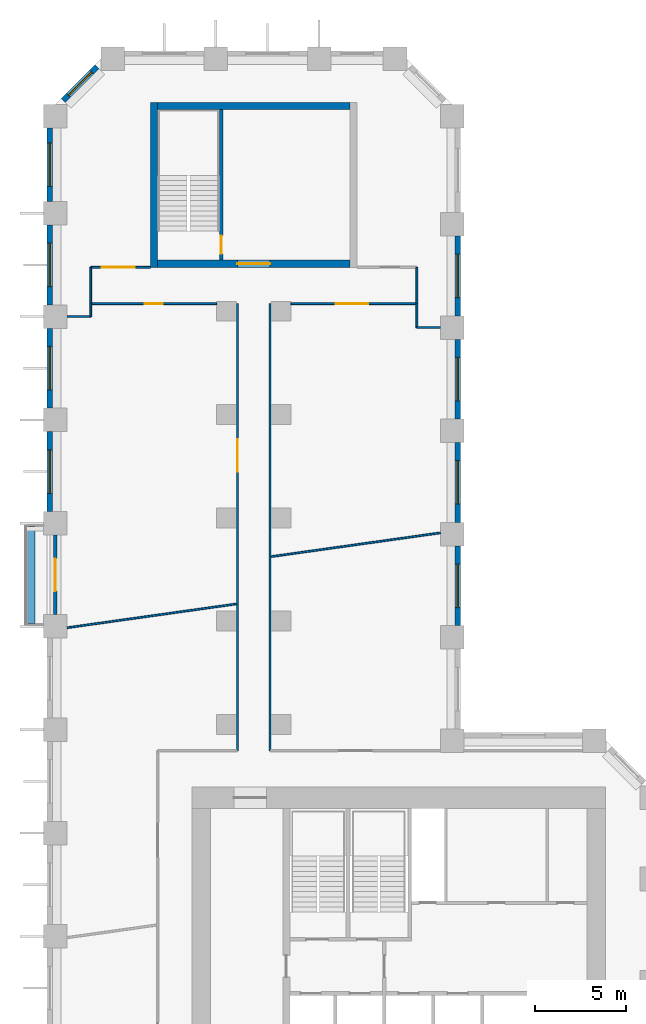
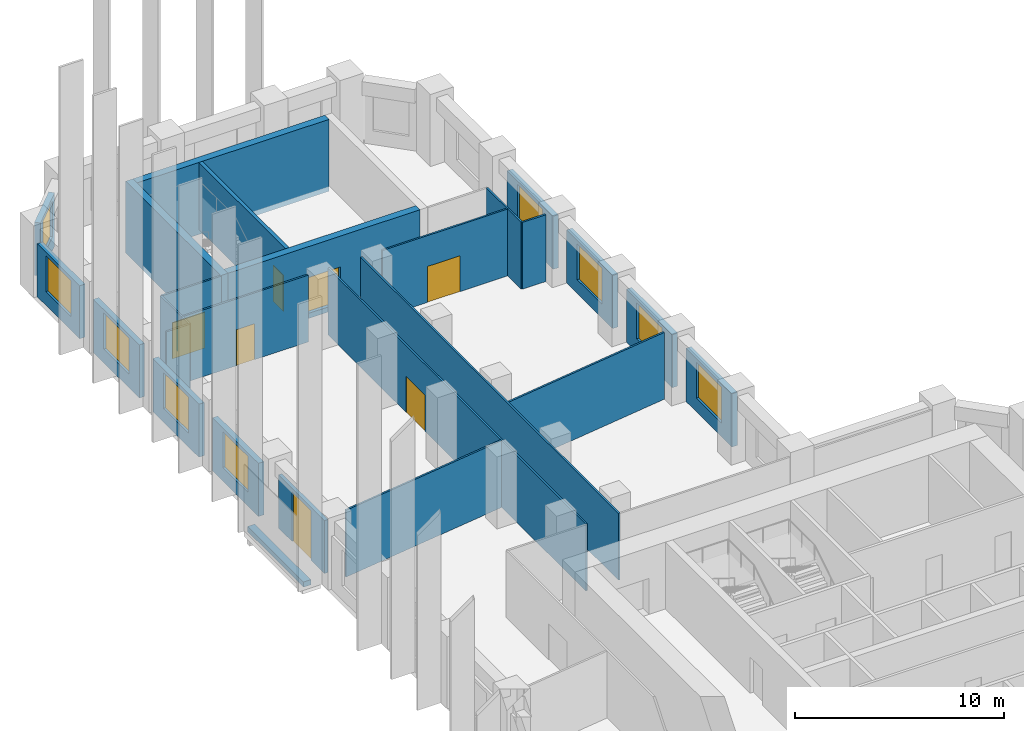
# One storey, part 8 of 11: 28 walls, 9 windows, 7 doors, 16 openings.
"""IFC4 building model written with IfcOpenShell, lengths in metres."""

from ifc_helpers import new_model, si_unit, direction, frame, frame_2d, origin, place, context, subcontext, project, spatial, rectangle, extrude, material, layer, layer_set, type_object, element, fill, save


model = new_model("IFC4")

# Units and contexts
model_context = context("Model", 3, precision=1e-05, world=origin(), true_north=direction((0.0, 1.0)))
body_context = subcontext(model_context, "Body", "Model", "MODEL_VIEW")
ifc_project = project(units=[si_unit("LENGTHUNIT", "METRE"), si_unit("AREAUNIT", "SQUARE_METRE"), si_unit("VOLUMEUNIT", "CUBIC_METRE"), si_unit("PLANEANGLEUNIT", "RADIAN"), si_unit("MASSUNIT", "GRAM", prefix="KILO")], contexts=[model_context])

# Site, building, storey
site_placement = place(None, origin())
site = spatial("IfcSite", under=ifc_project, at=site_placement, CompositionType="ELEMENT")
building_placement = place(site_placement, origin())
building = spatial("IfcBuilding", under=site, at=building_placement, Name="Meshkara Civic Tower", CompositionType="ELEMENT")
storey_placement = place(building_placement, frame((0.0, 0.0, 97.199951171875)))
storey = spatial("IfcBuildingStorey", under=building, at=storey_placement, Name="L21", CompositionType="ELEMENT", Elevation=97.199951171875)

# Wall, opening, door
ifc_material_1 = material(Name="Corridor wall 100")
ifc_layer_1 = layer(ifc_material_1, 0.10009765625)
ifc_layer_set_1 = layer_set([ifc_layer_1], Name="Corridor wall 100")
wall_type_1 = type_object("IfcWallType", Name="Corridor wall 100", PredefinedType="PARTITIONING", material=ifc_layer_set_1)
wall_1_placement = place(storey_placement, frame((2.39990234375, 63.570068359375, 0.0), z_axis=(0.0, 0.0, 1.0), x_axis=(1.0, 0.0, 0.0)))
wall_1 = element("IfcWall", 1, at=wall_1_placement, inside=storey, type_object=wall_type_1, Name="L21-W001", PredefinedType="PARTITIONING", context=body_context, shape_type="SweptSolid", body=[
    extrude(rectangle(XDim=6.9501953125, YDim=0.10009765625, at=frame_2d((3.47509765625, 0.0))), origin(), (0.0, 0.0, 1.0), 3.900146484375),
])
opening_1_placement = place(wall_1_placement, frame((2.97998046875, 0.0, 0.0)))
opening_1 = element("IfcOpeningElement", 2, at=opening_1_placement, cuts=wall_1, Name="Opening L21-D024", PredefinedType="OPENING", context=body_context, shape_type="SweptSolid", body=[
    extrude(rectangle(XDim=1.0, YDim=2.10009765625, at=frame_2d((0.5, 1.050048828125))), frame((0.0, 0.06005859375, 0.0), z_axis=(0.0, -1.0, 0.0), x_axis=(1.0, 0.0, 0.0)), (0.0, 0.0, 1.0), 0.1201171875),
])
ifc_material_2 = material(Name="Door 1000 x 2100")
door_type_1 = type_object("IfcDoorType", Name="Door 1000 x 2100", OperationType="SINGLE_SWING_LEFT", PredefinedType="DOOR", material=ifc_material_2)
door_1_placement = place(opening_1_placement, origin())
door_1 = element("IfcDoor", 3, at=door_1_placement, inside=storey, type_object=door_type_1, Name="L21-D024", OperationType="SINGLE_SWING_LEFT", OverallHeight=2.10009765625, OverallWidth=1.0, PredefinedType="DOOR", context=body_context, shape_type="SweptSolid", body=[
    extrude(rectangle(XDim=1.0, YDim=2.10009765625, at=frame_2d((0.5, 1.050048828125))), frame((0.0, 0.02490234375, 0.0), z_axis=(0.0, -1.0, 0.0), x_axis=(1.0, 0.0, 0.0)), (0.0, 0.0, 1.0), 0.050048828125),
])
fill(opening_1, door_1)

# Wall
wall_2_placement = place(storey_placement, frame((2.39990234375, 65.570068359375, 0.0), z_axis=(0.0, 0.0, 1.0), x_axis=(0.0, -1.0, 0.0)))
element("IfcWall", 4, at=wall_2_placement, inside=storey, type_object=wall_type_1, Name="L21-W002", PredefinedType="PARTITIONING", context=body_context, shape_type="SweptSolid", body=[
    extrude(rectangle(XDim=2.0, YDim=0.10009765625, at=frame_2d((1.0, 0.0))), origin(), (0.0, 0.0, 1.0), 3.900146484375),
])

# Wall, opening, door
wall_3_placement = place(storey_placement, frame((5.699951171875, 65.570068359375, 0.0), z_axis=(0.0, 0.0, 1.0), x_axis=(-1.0, 0.0, 0.0)))
wall_3 = element("IfcWall", 5, at=wall_3_placement, inside=storey, type_object=wall_type_1, Name="L21-W003", PredefinedType="PARTITIONING", context=body_context, shape_type="SweptSolid", body=[
    extrude(rectangle(XDim=3.300048828125, YDim=0.10009765625, at=frame_2d((1.64990234375, 0.0))), origin(), (0.0, 0.0, 1.0), 3.900146484375),
])
opening_2_placement = place(wall_3_placement, frame((0.8798828125, 0.0, 0.0)))
opening_2 = element("IfcOpeningElement", 6, at=opening_2_placement, cuts=wall_3, Name="Opening L21-D023", PredefinedType="OPENING", context=body_context, shape_type="SweptSolid", body=[
    extrude(rectangle(XDim=1.800048828125, YDim=2.10009765625, at=frame_2d((0.89990234375, 1.050048828125))), frame((0.0, 0.06005859375, 0.0), z_axis=(0.0, -1.0, 0.0), x_axis=(1.0, 0.0, 0.0)), (0.0, 0.0, 1.0), 0.1201171875),
])
ifc_material_3 = material(Name="Door pair 1800 x 2100")
door_type_2 = type_object("IfcDoorType", Name="Door pair 1800 x 2100", OperationType="SINGLE_SWING_LEFT", PredefinedType="DOOR", material=ifc_material_3)
door_2_placement = place(opening_2_placement, origin())
door_2 = element("IfcDoor", 7, at=door_2_placement, inside=storey, type_object=door_type_2, Name="L21-D023", OperationType="DOUBLE_DOOR_SINGLE_SWING", OverallHeight=2.10009765625, OverallWidth=1.800048828125, PredefinedType="DOOR", context=body_context, shape_type="SweptSolid", body=[
    extrude(rectangle(XDim=1.800048828125, YDim=2.10009765625, at=frame_2d((0.89990234375, 1.050048828125))), frame((0.0, 0.02490234375, 0.0), z_axis=(0.0, -1.0, 0.0), x_axis=(1.0, 0.0, 0.0)), (0.0, 0.0, 1.0), 0.050048828125),
])
fill(opening_2, door_2)

wall_4_placement = place(storey_placement, frame((10.5, 63.570068359375, 0.0), z_axis=(0.0, 0.0, 1.0), x_axis=(0.0, -1.0, 0.0)))
wall_4 = element("IfcWall", 8, at=wall_4_placement, inside=storey, type_object=wall_type_1, Name="L21-W012", PredefinedType="PARTITIONING", context=body_context, shape_type="SweptSolid", body=[
    extrude(rectangle(XDim=24.670166015625, YDim=0.10009765625, at=frame_2d((12.3349609375, 0.0))), origin(), (0.0, 0.0, 1.0), 3.900146484375),
])
opening_3_placement = place(wall_4_placement, frame((7.47998046875, 0.0, 0.0)))
opening_3 = element("IfcOpeningElement", 9, at=opening_3_placement, cuts=wall_4, Name="Opening L21-D022", PredefinedType="OPENING", context=body_context, shape_type="SweptSolid", body=[
    extrude(rectangle(XDim=1.800048828125, YDim=2.10009765625, at=frame_2d((0.89990234375, 1.050048828125))), frame((0.0, 0.06005859375, 0.0), z_axis=(0.0, -1.0, 0.0), x_axis=(1.0, 0.0, 0.0)), (0.0, 0.0, 1.0), 0.1201171875),
])
door_3_placement = place(opening_3_placement, origin())
door_3 = element("IfcDoor", 10, at=door_3_placement, inside=storey, type_object=door_type_2, Name="L21-D022", OperationType="DOUBLE_DOOR_SINGLE_SWING", OverallHeight=2.10009765625, OverallWidth=1.800048828125, PredefinedType="DOOR", context=body_context, shape_type="SweptSolid", body=[
    extrude(rectangle(XDim=1.800048828125, YDim=2.10009765625, at=frame_2d((0.89990234375, 1.050048828125))), frame((0.0, 0.02490234375, 0.0), z_axis=(0.0, -1.0, 0.0), x_axis=(1.0, 0.0, 0.0)), (0.0, 0.0, 1.0), 0.050048828125),
])
fill(opening_3, door_3)

# Wall
wall_5_placement = place(storey_placement, frame((12.300048828125, 63.570068359375, 0.0), z_axis=(0.0, 0.0, 1.0), x_axis=(0.0, -1.0, 0.0)))
element("IfcWall", 11, at=wall_5_placement, inside=storey, type_object=wall_type_1, Name="L21-W013", PredefinedType="PARTITIONING", context=body_context, shape_type="SweptSolid", body=[
    extrude(rectangle(XDim=24.670166015625, YDim=0.10009765625, at=frame_2d((12.3349609375, 0.0))), origin(), (0.0, 0.0, 1.0), 3.900146484375),
])

# Wall, opening, door
wall_6_placement = place(storey_placement, frame((13.449951171875, 63.570068359375, 0.0), z_axis=(0.0, 0.0, 1.0), x_axis=(1.0, 0.0, 0.0)))
wall_6 = element("IfcWall", 12, at=wall_6_placement, inside=storey, type_object=wall_type_1, Name="L21-W015", PredefinedType="PARTITIONING", context=body_context, shape_type="SweptSolid", body=[
    extrude(rectangle(XDim=6.949951171875, YDim=0.10009765625, at=frame_2d((3.47509765625, 0.0))), origin(), (0.0, 0.0, 1.0), 3.900146484375),
])
opening_4_placement = place(wall_6_placement, frame((2.47998046875, 0.0, 0.0)))
opening_4 = element("IfcOpeningElement", 13, at=opening_4_placement, cuts=wall_6, Name="Opening L21-D025", PredefinedType="OPENING", context=body_context, shape_type="SweptSolid", body=[
    extrude(rectangle(XDim=1.800048828125, YDim=2.10009765625, at=frame_2d((0.89990234375, 1.050048828125))), frame((0.0, 0.06005859375, 0.0), z_axis=(0.0, -1.0, 0.0), x_axis=(1.0, 0.0, 0.0)), (0.0, 0.0, 1.0), 0.1201171875),
])
door_4_placement = place(opening_4_placement, origin())
door_4 = element("IfcDoor", 14, at=door_4_placement, inside=storey, type_object=door_type_2, Name="L21-D025", OperationType="DOUBLE_DOOR_SINGLE_SWING", OverallHeight=2.10009765625, OverallWidth=1.800048828125, PredefinedType="DOOR", context=body_context, shape_type="SweptSolid", body=[
    extrude(rectangle(XDim=1.800048828125, YDim=2.10009765625, at=frame_2d((0.89990234375, 1.050048828125))), frame((0.0, 0.02490234375, 0.0), z_axis=(0.0, -1.0, 0.0), x_axis=(1.0, 0.0, 0.0)), (0.0, 0.0, 1.0), 0.050048828125),
])
fill(opening_4, door_4)

# Wall
wall_7_placement = place(storey_placement, frame((20.39990234375, 63.570068359375, 0.0), z_axis=(0.0, 0.0, 1.0), x_axis=(0.0, 1.0, 0.0)))
element("IfcWall", 15, at=wall_7_placement, inside=storey, type_object=wall_type_1, Name="L21-W016", PredefinedType="PARTITIONING", context=body_context, shape_type="SweptSolid", body=[
    extrude(rectangle(XDim=2.0, YDim=0.10009765625, at=frame_2d((1.0, 0.0))), origin(), (0.0, 0.0, 1.0), 3.900146484375),
])

# Wall, opening, window
ifc_material_4 = material(Name="Insulated infill panel with bronze anodised aluminium cladding", Category="aluminium")
ifc_layer_2 = layer(ifc_material_4, 0.300048828125)
ifc_layer_set_2 = layer_set([ifc_layer_2], Name="EXTERNAL INFILL WALL 300")
wall_type_2 = type_object("IfcWallType", Name="EXTERNAL INFILL WALL 300", PredefinedType="SOLIDWALL", material=ifc_layer_set_2)
wall_8_placement = place(storey_placement, frame((22.64990234375, 45.800048828125, 0.0), z_axis=(0.0, 0.0, 1.0), x_axis=(0.0, 1.0, 0.0)))
wall_8 = element("IfcWall", 16, at=wall_8_placement, inside=storey, type_object=wall_type_2, Name="External wall", PredefinedType="SOLIDWALL", context=body_context, shape_type="SweptSolid", body=[
    extrude(rectangle(XDim=4.39990234375, YDim=0.300048828125, at=frame_2d((2.199951171875, 0.0))), origin(), (0.0, 0.0, 1.0), 3.10009765625),
])
opening_5_placement = place(wall_8_placement, frame((1.0, 0.0, 0.800048828125)))
opening_5 = element("IfcOpeningElement", 17, at=opening_5_placement, cuts=wall_8, Name="Opening W7", PredefinedType="OPENING", context=body_context, shape_type="SweptSolid", body=[
    extrude(rectangle(XDim=2.39990234375, YDim=2.10009765625, at=frame_2d((1.199951171875, 1.050048828125))), frame((0.0, 0.159912109375, 0.0), z_axis=(0.0, -1.0, 0.0), x_axis=(1.0, 0.0, 0.0)), (0.0, 0.0, 1.0), 0.320068359375),
])
ifc_material_5 = material(Name="Tinted double glazing", Category="glass")
window_type_1 = type_object("IfcWindowType", Name="WINDOW 2400x2100", PartitioningType="DOUBLE_PANEL_VERTICAL", PredefinedType="WINDOW", material=ifc_material_5)
window_1_placement = place(opening_5_placement, origin())
window_1 = element("IfcWindow", 18, at=window_1_placement, inside=storey, type_object=window_type_1, Name="Window", OverallHeight=2.10009765625, OverallWidth=2.39990234375, PartitioningType="DOUBLE_PANEL_VERTICAL", PredefinedType="WINDOW", context=body_context, shape_type="SweptSolid", body=[
    extrude(rectangle(XDim=2.39990234375, YDim=2.10009765625, at=frame_2d((1.199951171875, 1.050048828125))), frame((0.0, 0.030029296875, 0.0), z_axis=(0.0, -1.0, 0.0), x_axis=(1.0, 0.0, 0.0)), (0.0, 0.0, 1.0), 0.06005859375),
])
fill(opening_5, window_1)

wall_9_placement = place(storey_placement, frame((22.64990234375, 51.5, 0.0), z_axis=(0.0, 0.0, 1.0), x_axis=(0.0, 1.0, 0.0)))
wall_9 = element("IfcWall", 19, at=wall_9_placement, inside=storey, type_object=wall_type_2, Name="External wall", PredefinedType="SOLIDWALL", context=body_context, shape_type="SweptSolid", body=[
    extrude(rectangle(XDim=4.39990234375, YDim=0.300048828125, at=frame_2d((2.199951171875, 0.0))), origin(), (0.0, 0.0, 1.0), 3.10009765625),
])
opening_6_placement = place(wall_9_placement, frame((1.0, 0.0, 0.800048828125)))
opening_6 = element("IfcOpeningElement", 20, at=opening_6_placement, cuts=wall_9, Name="Opening W7", PredefinedType="OPENING", context=body_context, shape_type="SweptSolid", body=[
    extrude(rectangle(XDim=2.39990234375, YDim=2.10009765625, at=frame_2d((1.199951171875, 1.050048828125))), frame((0.0, 0.159912109375, 0.0), z_axis=(0.0, -1.0, 0.0), x_axis=(1.0, 0.0, 0.0)), (0.0, 0.0, 1.0), 0.320068359375),
])
window_2_placement = place(opening_6_placement, origin())
window_2 = element("IfcWindow", 21, at=window_2_placement, inside=storey, type_object=window_type_1, Name="Window", OverallHeight=2.10009765625, OverallWidth=2.39990234375, PartitioningType="DOUBLE_PANEL_VERTICAL", PredefinedType="WINDOW", context=body_context, shape_type="SweptSolid", body=[
    extrude(rectangle(XDim=2.39990234375, YDim=2.10009765625, at=frame_2d((1.199951171875, 1.050048828125))), frame((0.0, 0.030029296875, 0.0), z_axis=(0.0, -1.0, 0.0), x_axis=(1.0, 0.0, 0.0)), (0.0, 0.0, 1.0), 0.06005859375),
])
fill(opening_6, window_2)

wall_10_placement = place(storey_placement, frame((22.64990234375, 57.199951171875, 0.0), z_axis=(0.0, 0.0, 1.0), x_axis=(0.0, 1.0, 0.0)))
wall_10 = element("IfcWall", 22, at=wall_10_placement, inside=storey, type_object=wall_type_2, Name="External wall", PredefinedType="SOLIDWALL", context=body_context, shape_type="SweptSolid", body=[
    extrude(rectangle(XDim=4.400146484375, YDim=0.300048828125, at=frame_2d((2.2001953125, 0.0))), origin(), (0.0, 0.0, 1.0), 3.10009765625),
])
opening_7_placement = place(wall_10_placement, frame((1.0, 0.0, 0.800048828125)))
opening_7 = element("IfcOpeningElement", 23, at=opening_7_placement, cuts=wall_10, Name="Opening W7", PredefinedType="OPENING", context=body_context, shape_type="SweptSolid", body=[
    extrude(rectangle(XDim=2.39990234375, YDim=2.10009765625, at=frame_2d((1.199951171875, 1.050048828125))), frame((0.0, 0.159912109375, 0.0), z_axis=(0.0, -1.0, 0.0), x_axis=(1.0, 0.0, 0.0)), (0.0, 0.0, 1.0), 0.320068359375),
])
window_3_placement = place(opening_7_placement, origin())
window_3 = element("IfcWindow", 24, at=window_3_placement, inside=storey, type_object=window_type_1, Name="Window", OverallHeight=2.10009765625, OverallWidth=2.39990234375, PartitioningType="DOUBLE_PANEL_VERTICAL", PredefinedType="WINDOW", context=body_context, shape_type="SweptSolid", body=[
    extrude(rectangle(XDim=2.39990234375, YDim=2.10009765625, at=frame_2d((1.199951171875, 1.050048828125))), frame((0.0, 0.030029296875, 0.0), z_axis=(0.0, -1.0, 0.0), x_axis=(1.0, 0.0, 0.0)), (0.0, 0.0, 1.0), 0.06005859375),
])
fill(opening_7, window_3)

wall_11_placement = place(storey_placement, frame((22.64990234375, 62.89990234375, 0.0), z_axis=(0.0, 0.0, 1.0), x_axis=(0.0, 1.0, 0.0)))
wall_11 = element("IfcWall", 25, at=wall_11_placement, inside=storey, type_object=wall_type_2, Name="External wall", PredefinedType="SOLIDWALL", context=body_context, shape_type="SweptSolid", body=[
    extrude(rectangle(XDim=4.400146484375, YDim=0.300048828125, at=frame_2d((2.2001953125, 0.0))), origin(), (0.0, 0.0, 1.0), 3.10009765625),
])
opening_8_placement = place(wall_11_placement, frame((1.0, 0.0, 0.800048828125)))
opening_8 = element("IfcOpeningElement", 26, at=opening_8_placement, cuts=wall_11, Name="Opening W7", PredefinedType="OPENING", context=body_context, shape_type="SweptSolid", body=[
    extrude(rectangle(XDim=2.39990234375, YDim=2.10009765625, at=frame_2d((1.199951171875, 1.050048828125))), frame((0.0, 0.159912109375, 0.0), z_axis=(0.0, -1.0, 0.0), x_axis=(1.0, 0.0, 0.0)), (0.0, 0.0, 1.0), 0.320068359375),
])
window_4_placement = place(opening_8_placement, origin())
window_4 = element("IfcWindow", 27, at=window_4_placement, inside=storey, type_object=window_type_1, Name="Window", OverallHeight=2.10009765625, OverallWidth=2.39990234375, PartitioningType="DOUBLE_PANEL_VERTICAL", PredefinedType="WINDOW", context=body_context, shape_type="SweptSolid", body=[
    extrude(rectangle(XDim=2.39990234375, YDim=2.10009765625, at=frame_2d((1.199951171875, 1.050048828125))), frame((0.0, 0.030029296875, 0.0), z_axis=(0.0, -1.0, 0.0), x_axis=(1.0, 0.0, 0.0)), (0.0, 0.0, 1.0), 0.06005859375),
])
fill(opening_8, window_4)

wall_12_placement = place(storey_placement, frame((2.743896484375, 76.632080078125, 0.0), z_axis=(0.0, 0.0, 1.0), x_axis=(-0.707060274772, -0.707153284542, 0.0)))
wall_12 = element("IfcWall", 28, at=wall_12_placement, inside=storey, type_object=wall_type_2, Name="External wall", PredefinedType="SOLIDWALL", context=body_context, shape_type="SweptSolid", body=[
    extrude(rectangle(XDim=2.625, YDim=0.300048828125, at=frame_2d((1.3125, 0.0))), origin(), (0.0, 0.0, 1.0), 3.10009765625),
])
opening_9_placement = place(wall_12_placement, frame((0.412109375, 0.0, 0.800048828125)))
opening_9 = element("IfcOpeningElement", 29, at=opening_9_placement, cuts=wall_12, Name="Opening W9", PredefinedType="OPENING", context=body_context, shape_type="SweptSolid", body=[
    extrude(rectangle(XDim=1.800048828125, YDim=2.10009765625, at=frame_2d((0.89990234375, 1.050048828125))), frame((0.0, 0.159912109375, 0.0), z_axis=(0.0, -1.0, 0.0), x_axis=(1.0, 0.0, 0.0)), (0.0, 0.0, 1.0), 0.320068359375),
])
ifc_material_6 = material(Name="Tinted double glazing", Category="glass")
window_type_2 = type_object("IfcWindowType", Name="WINDOW 1800x2100", PartitioningType="DOUBLE_PANEL_VERTICAL", PredefinedType="WINDOW", material=ifc_material_6)
window_5_placement = place(opening_9_placement, origin())
window_5 = element("IfcWindow", 30, at=window_5_placement, inside=storey, type_object=window_type_2, Name="Window", OverallHeight=2.10009765625, OverallWidth=1.800048828125, PartitioningType="DOUBLE_PANEL_VERTICAL", PredefinedType="WINDOW", context=body_context, shape_type="SweptSolid", body=[
    extrude(rectangle(XDim=1.800048828125, YDim=2.10009765625, at=frame_2d((0.89990234375, 1.050048828125))), frame((0.0, 0.030029296875, 0.0), z_axis=(0.0, -1.0, 0.0), x_axis=(1.0, 0.0, 0.0)), (0.0, 0.0, 1.0), 0.06005859375),
])
fill(opening_9, window_5)

wall_13_placement = place(storey_placement, frame((0.14990234375, 73.263916015625, 0.0), z_axis=(0.0, 0.0, 1.0), x_axis=(0.0, -1.0, 0.0)))
wall_13 = element("IfcWall", 31, at=wall_13_placement, inside=storey, type_object=wall_type_2, Name="External wall", PredefinedType="SOLIDWALL", context=body_context, shape_type="SweptSolid", body=[
    extrude(rectangle(XDim=4.058837890625, YDim=0.300048828125, at=frame_2d((2.029296875, 0.0))), origin(), (0.0, 0.0, 1.0), 3.10009765625),
])
opening_10_placement = place(wall_13_placement, frame((0.8291015625, 0.0, 0.800048828125)))
opening_10 = element("IfcOpeningElement", 32, at=opening_10_placement, cuts=wall_13, Name="Opening W7", PredefinedType="OPENING", context=body_context, shape_type="SweptSolid", body=[
    extrude(rectangle(XDim=2.39990234375, YDim=2.10009765625, at=frame_2d((1.199951171875, 1.050048828125))), frame((0.0, 0.159912109375, 0.0), z_axis=(0.0, -1.0, 0.0), x_axis=(1.0, 0.0, 0.0)), (0.0, 0.0, 1.0), 0.320068359375),
])
window_6_placement = place(opening_10_placement, origin())
window_6 = element("IfcWindow", 33, at=window_6_placement, inside=storey, type_object=window_type_1, Name="Window", OverallHeight=2.10009765625, OverallWidth=2.39990234375, PartitioningType="DOUBLE_PANEL_VERTICAL", PredefinedType="WINDOW", context=body_context, shape_type="SweptSolid", body=[
    extrude(rectangle(XDim=2.39990234375, YDim=2.10009765625, at=frame_2d((1.199951171875, 1.050048828125))), frame((0.0, 0.030029296875, 0.0), z_axis=(0.0, -1.0, 0.0), x_axis=(1.0, 0.0, 0.0)), (0.0, 0.0, 1.0), 0.06005859375),
])
fill(opening_10, window_6)

wall_14_placement = place(storey_placement, frame((0.14990234375, 67.905029296875, 0.0), z_axis=(0.0, 0.0, 1.0), x_axis=(0.0, -1.0, 0.0)))
wall_14 = element("IfcWall", 34, at=wall_14_placement, inside=storey, type_object=wall_type_2, Name="External wall", PredefinedType="SOLIDWALL", context=body_context, shape_type="SweptSolid", body=[
    extrude(rectangle(XDim=4.400146484375, YDim=0.300048828125, at=frame_2d((2.2001953125, 0.0))), origin(), (0.0, 0.0, 1.0), 3.10009765625),
])
opening_11_placement = place(wall_14_placement, frame((1.0, 0.0, 0.800048828125)))
opening_11 = element("IfcOpeningElement", 35, at=opening_11_placement, cuts=wall_14, Name="Opening W7", PredefinedType="OPENING", context=body_context, shape_type="SweptSolid", body=[
    extrude(rectangle(XDim=2.39990234375, YDim=2.10009765625, at=frame_2d((1.199951171875, 1.050048828125))), frame((0.0, 0.159912109375, 0.0), z_axis=(0.0, -1.0, 0.0), x_axis=(1.0, 0.0, 0.0)), (0.0, 0.0, 1.0), 0.320068359375),
])
window_7_placement = place(opening_11_placement, origin())
window_7 = element("IfcWindow", 36, at=window_7_placement, inside=storey, type_object=window_type_1, Name="Window", OverallHeight=2.10009765625, OverallWidth=2.39990234375, PartitioningType="DOUBLE_PANEL_VERTICAL", PredefinedType="WINDOW", context=body_context, shape_type="SweptSolid", body=[
    extrude(rectangle(XDim=2.39990234375, YDim=2.10009765625, at=frame_2d((1.199951171875, 1.050048828125))), frame((0.0, 0.030029296875, 0.0), z_axis=(0.0, -1.0, 0.0), x_axis=(1.0, 0.0, 0.0)), (0.0, 0.0, 1.0), 0.06005859375),
])
fill(opening_11, window_7)

wall_15_placement = place(storey_placement, frame((0.14990234375, 62.205078125, 0.0), z_axis=(0.0, 0.0, 1.0), x_axis=(0.0, -1.0, 0.0)))
wall_15 = element("IfcWall", 37, at=wall_15_placement, inside=storey, type_object=wall_type_2, Name="External wall", PredefinedType="SOLIDWALL", context=body_context, shape_type="SweptSolid", body=[
    extrude(rectangle(XDim=4.400146484375, YDim=0.300048828125, at=frame_2d((2.2001953125, 0.0))), origin(), (0.0, 0.0, 1.0), 3.10009765625),
])
opening_12_placement = place(wall_15_placement, frame((1.0, 0.0, 0.800048828125)))
opening_12 = element("IfcOpeningElement", 38, at=opening_12_placement, cuts=wall_15, Name="Opening W7", PredefinedType="OPENING", context=body_context, shape_type="SweptSolid", body=[
    extrude(rectangle(XDim=2.39990234375, YDim=2.10009765625, at=frame_2d((1.199951171875, 1.050048828125))), frame((0.0, 0.159912109375, 0.0), z_axis=(0.0, -1.0, 0.0), x_axis=(1.0, 0.0, 0.0)), (0.0, 0.0, 1.0), 0.320068359375),
])
window_8_placement = place(opening_12_placement, origin())
window_8 = element("IfcWindow", 39, at=window_8_placement, inside=storey, type_object=window_type_1, Name="Window", OverallHeight=2.10009765625, OverallWidth=2.39990234375, PartitioningType="DOUBLE_PANEL_VERTICAL", PredefinedType="WINDOW", context=body_context, shape_type="SweptSolid", body=[
    extrude(rectangle(XDim=2.39990234375, YDim=2.10009765625, at=frame_2d((1.199951171875, 1.050048828125))), frame((0.0, 0.030029296875, 0.0), z_axis=(0.0, -1.0, 0.0), x_axis=(1.0, 0.0, 0.0)), (0.0, 0.0, 1.0), 0.06005859375),
])
fill(opening_12, window_8)

wall_16_placement = place(storey_placement, frame((0.14990234375, 56.5048828125, 0.0), z_axis=(0.0, 0.0, 1.0), x_axis=(0.0, -1.0, 0.0)))
wall_16 = element("IfcWall", 40, at=wall_16_placement, inside=storey, type_object=wall_type_2, Name="External wall", PredefinedType="SOLIDWALL", context=body_context, shape_type="SweptSolid", body=[
    extrude(rectangle(XDim=4.39990234375, YDim=0.300048828125, at=frame_2d((2.199951171875, 0.0))), origin(), (0.0, 0.0, 1.0), 3.10009765625),
])
opening_13_placement = place(wall_16_placement, frame((1.0, 0.0, 0.800048828125)))
opening_13 = element("IfcOpeningElement", 41, at=opening_13_placement, cuts=wall_16, Name="Opening W7", PredefinedType="OPENING", context=body_context, shape_type="SweptSolid", body=[
    extrude(rectangle(XDim=2.39990234375, YDim=2.10009765625, at=frame_2d((1.199951171875, 1.050048828125))), frame((0.0, 0.159912109375, 0.0), z_axis=(0.0, -1.0, 0.0), x_axis=(1.0, 0.0, 0.0)), (0.0, 0.0, 1.0), 0.320068359375),
])
window_9_placement = place(opening_13_placement, origin())
window_9 = element("IfcWindow", 42, at=window_9_placement, inside=storey, type_object=window_type_1, Name="Window", OverallHeight=2.10009765625, OverallWidth=2.39990234375, PartitioningType="DOUBLE_PANEL_VERTICAL", PredefinedType="WINDOW", context=body_context, shape_type="SweptSolid", body=[
    extrude(rectangle(XDim=2.39990234375, YDim=2.10009765625, at=frame_2d((1.199951171875, 1.050048828125))), frame((0.0, 0.030029296875, 0.0), z_axis=(0.0, -1.0, 0.0), x_axis=(1.0, 0.0, 0.0)), (0.0, 0.0, 1.0), 0.06005859375),
])
fill(opening_13, window_9)

# Wall
ifc_material_7 = material(Name="Concrete C70", Category="concrete")
ifc_layer_3 = layer(ifc_material_7, 0.39990234375)
ifc_layer_set_3 = layer_set([ifc_layer_3], Name="End core ring wall 400 C70")
wall_type_3 = type_object("IfcWallType", Name="End core ring wall 400 C70", PredefinedType="SHEAR", material=ifc_layer_set_3)
wall_17_placement = place(storey_placement, frame((5.89990234375, 65.570068359375, -0.300048828125), z_axis=(0.0, 0.0, 1.0), x_axis=(0.0, 1.0, 0.0)))
element("IfcWall", 43, at=wall_17_placement, inside=storey, type_object=wall_type_3, Name="L21-C026", PredefinedType="SHEAR", context=body_context, shape_type="SweptSolid", body=[
    extrude(rectangle(XDim=9.099853515625, YDim=0.39990234375, at=frame_2d((4.5498046875, 0.0))), origin(), (0.0, 0.0, 1.0), 4.2001953125),
])

# Wall, opening, door
wall_18_placement = place(storey_placement, frame((6.10009765625, 65.77001953125, -0.300048828125), z_axis=(0.0, 0.0, 1.0), x_axis=(1.0, 0.0, 0.0)))
wall_18 = element("IfcWall", 44, at=wall_18_placement, inside=storey, type_object=wall_type_3, Name="L21-C028", PredefinedType="SHEAR", context=body_context, shape_type="SweptSolid", body=[
    extrude(rectangle(XDim=10.599853515625, YDim=0.39990234375, at=frame_2d((5.2998046875, 0.0))), origin(), (0.0, 0.0, 1.0), 4.2001953125),
])
opening_14_placement = place(wall_18_placement, frame((4.39990234375, 0.0, 0.300048828125)))
opening_14 = element("IfcOpeningElement", 45, at=opening_14_placement, cuts=wall_18, Name="Opening L21-K102", PredefinedType="OPENING", context=body_context, shape_type="SweptSolid", body=[
    extrude(rectangle(XDim=1.800048828125, YDim=2.10009765625, at=frame_2d((0.89990234375, 1.050048828125))), frame((0.0, 0.2099609375, 0.0), z_axis=(0.0, -1.0, 0.0), x_axis=(1.0, 0.0, 0.0)), (0.0, 0.0, 1.0), 0.419921875),
])
ifc_material_8 = material(Name="Fire-rated door leaf in steel frame", Category="steel")
door_type_3 = type_object("IfcDoorType", Name="Core double door 1800 EI 60", OperationType="DOUBLE_DOOR_SINGLE_SWING", PredefinedType="DOOR", material=ifc_material_8)
door_5_placement = place(opening_14_placement, origin())
door_5 = element("IfcDoor", 46, at=door_5_placement, inside=storey, type_object=door_type_3, Name="L21-K102", OperationType="DOUBLE_DOOR_SINGLE_SWING", OverallHeight=2.10009765625, OverallWidth=1.800048828125, PredefinedType="DOOR", context=body_context, shape_type="SweptSolid", body=[
    extrude(rectangle(XDim=1.800048828125, YDim=2.10009765625, at=frame_2d((0.89990234375, 1.050048828125))), frame((0.0, 0.02490234375, 0.0), z_axis=(0.0, -1.0, 0.0), x_axis=(1.0, 0.0, 0.0)), (0.0, 0.0, 1.0), 0.050048828125),
])
fill(opening_14, door_5)

# Wall
wall_19_placement = place(storey_placement, frame((6.10009765625, 74.469970703125, -0.300048828125), z_axis=(0.0, 0.0, 1.0), x_axis=(1.0, 0.0, 0.0)))
element("IfcWall", 47, at=wall_19_placement, inside=storey, type_object=wall_type_3, Name="L21-C029", PredefinedType="SHEAR", context=body_context, shape_type="SweptSolid", body=[
    extrude(rectangle(XDim=10.599853515625, YDim=0.39990234375, at=frame_2d((5.2998046875, 0.0))), origin(), (0.0, 0.0, 1.0), 4.2001953125),
])

# Wall, opening, door
ifc_material_9 = material(Name="Insulated infill panel with bronze anodised aluminium cladding", Category="aluminium")
ifc_layer_4 = layer(ifc_material_9, 0.199951171875)
ifc_layer_set_4 = layer_set([ifc_layer_4], Name="LOGGIA BACK WALL 200")
wall_type_4 = type_object("IfcWallType", Name="LOGGIA BACK WALL 200", PredefinedType="SOLIDWALL", material=ifc_layer_set_4)
wall_20_placement = place(storey_placement, frame((0.449951171875, 50.804931640625, 0.0), z_axis=(0.0, 0.0, 1.0), x_axis=(0.0, -1.0, 0.0)))
wall_20 = element("IfcWall", 48, at=wall_20_placement, inside=storey, type_object=wall_type_4, Name="Loggia wall", PredefinedType="SOLIDWALL", context=body_context, shape_type="SweptSolid", body=[
    extrude(rectangle(XDim=4.39892578125, YDim=0.199951171875, at=frame_2d((2.199462890625, 0.0))), origin(), (0.0, 0.0, 1.0), 3.10009765625),
])
opening_15_placement = place(wall_20_placement, frame((1.300048828125, 0.0, 0.0)))
opening_15 = element("IfcOpeningElement", 49, at=opening_15_placement, cuts=wall_20, Name="Opening L21-L001", PredefinedType="OPENING", context=body_context, shape_type="SweptSolid", body=[
    extrude(rectangle(XDim=1.800048828125, YDim=2.89990234375, at=frame_2d((0.89990234375, 1.449951171875))), frame((0.0, 0.10986328125, 0.0), z_axis=(0.0, -1.0, 0.0), x_axis=(1.0, 0.0, 0.0)), (0.0, 0.0, 1.0), 0.219970703125),
])
ifc_material_10 = material(Name="Tinted double glazing", Category="glass")
door_type_4 = type_object("IfcDoorType", Name="LOGGIA DOOR 1800x2900", OperationType="DOUBLE_DOOR_SINGLE_SWING", PredefinedType="DOOR", material=ifc_material_10)
door_6_placement = place(opening_15_placement, origin())
door_6 = element("IfcDoor", 50, at=door_6_placement, inside=storey, type_object=door_type_4, Name="L21-L001", OperationType="DOUBLE_DOOR_SINGLE_SWING", OverallHeight=2.89990234375, OverallWidth=1.800048828125, PredefinedType="DOOR", context=body_context, shape_type="SweptSolid", body=[
    extrude(rectangle(XDim=1.800048828125, YDim=2.89990234375, at=frame_2d((0.89990234375, 1.449951171875))), frame((0.0, 0.02490234375, 0.0), z_axis=(0.0, -1.0, 0.0), x_axis=(1.0, 0.0, 0.0)), (0.0, 0.0, 1.0), 0.050048828125),
])
fill(opening_15, door_6)

# Walls
ifc_material_11 = material(Name="Concrete C40", Category="concrete")
ifc_layer_5 = layer(ifc_material_11, 0.39990234375)
ifc_layer_set_5 = layer_set([ifc_layer_5], Name="PLANTER TRAY")
wall_type_5 = type_object("IfcWallType", Name="PLANTER TRAY", PredefinedType="SOLIDWALL", material=ifc_layer_set_5)
wall_21_placement = place(storey_placement, frame((-0.8798828125, 51.284912109375, 0.0), z_axis=(0.0, 0.0, 1.0), x_axis=(0.0, -1.0, 0.0)))
element("IfcWall", 51, at=wall_21_placement, inside=storey, type_object=wall_type_5, Name="Planter", PredefinedType="SOLIDWALL", context=body_context, shape_type="SweptSolid", body=[
    extrude(rectangle(XDim=5.35986328125, YDim=0.39990234375, at=frame_2d((2.679931640625, 0.0))), origin(), (0.0, 0.0, 1.0), 0.300048828125),
])
ifc_material_12 = material(Name="Partition 100")
ifc_layer_6 = layer(ifc_material_12, 0.10009765625)
ifc_layer_set_6 = layer_set([ifc_layer_6], Name="Partition 100")
wall_type_6 = type_object("IfcWallType", Name="Partition 100", PredefinedType="PARTITIONING", material=ifc_layer_set_6)
wall_22_placement = place(storey_placement, frame((2.39990234375, 62.85498046875, 0.0), z_axis=(0.0, 0.0, 1.0), x_axis=(-1.0, 0.0, 0.0)))
element("IfcWall", 52, at=wall_22_placement, inside=storey, type_object=wall_type_6, Name="L21-W031", PredefinedType="PARTITIONING", context=body_context, shape_type="SweptSolid", body=[
    extrude(rectangle(XDim=1.2998046875, YDim=0.10009765625, at=frame_2d((0.64990234375, 0.0))), origin(), (0.0, 0.0, 1.0), 3.900146484375),
])
wall_23_placement = place(storey_placement, frame((2.39990234375, 63.573974609375, 0.0), z_axis=(0.0, 0.0, 1.0), x_axis=(0.0, -1.0, 0.0)))
element("IfcWall", 53, at=wall_23_placement, inside=storey, type_object=wall_type_6, Name="L21-W032", PredefinedType="PARTITIONING", context=body_context, shape_type="SweptSolid", body=[
    extrude(rectangle(XDim=0.718994140625, YDim=0.10009765625, at=frame_2d((0.359375, 0.0))), origin(), (0.0, 0.0, 1.0), 3.900146484375),
])
wall_24_placement = place(storey_placement, frame((10.443115234375, 46.998046875, 0.0), z_axis=(0.0, 0.0, 1.0), x_axis=(-0.990255073415, -0.139265536207, 0.0)))
element("IfcWall", 54, at=wall_24_placement, inside=storey, type_object=wall_type_6, Name="L21-W037", PredefinedType="PARTITIONING", context=body_context, shape_type="SweptSolid", body=[
    extrude(rectangle(XDim=9.43505859375, YDim=0.10009765625, at=frame_2d((4.717529296875, 0.0))), origin(), (0.0, 0.0, 1.0), 3.900146484375),
])
wall_25_placement = place(storey_placement, frame((20.39990234375, 62.25, 0.0), z_axis=(0.0, 0.0, 1.0), x_axis=(0.0, 1.0, 0.0)))
element("IfcWall", 55, at=wall_25_placement, inside=storey, type_object=wall_type_6, Name="L21-W040", PredefinedType="PARTITIONING", context=body_context, shape_type="SweptSolid", body=[
    extrude(rectangle(XDim=1.323974609375, YDim=0.10009765625, at=frame_2d((0.662109375, 0.0))), origin(), (0.0, 0.0, 1.0), 3.900146484375),
])
wall_26_placement = place(storey_placement, frame((21.699951171875, 50.9208984375, 0.0), z_axis=(0.0, 0.0, 1.0), x_axis=(-0.990255073415, -0.139265536207, 0.0)))
element("IfcWall", 56, at=wall_26_placement, inside=storey, type_object=wall_type_6, Name="L21-W041", PredefinedType="PARTITIONING", context=body_context, shape_type="SweptSolid", body=[
    extrude(rectangle(XDim=9.43505859375, YDim=0.10009765625, at=frame_2d((4.717529296875, 0.0))), origin(), (0.0, 0.0, 1.0), 3.900146484375),
])
wall_27_placement = place(storey_placement, frame((21.699951171875, 62.25, 0.0), z_axis=(0.0, 0.0, 1.0), x_axis=(-1.0, 0.0, 0.0)))
element("IfcWall", 57, at=wall_27_placement, inside=storey, type_object=wall_type_6, Name="L21-W042", PredefinedType="PARTITIONING", context=body_context, shape_type="SweptSolid", body=[
    extrude(rectangle(XDim=1.300048828125, YDim=0.10009765625, at=frame_2d((0.64990234375, 0.0))), origin(), (0.0, 0.0, 1.0), 3.900146484375),
])

# Wall, opening, door
ifc_material_13 = material(Name="Concrete C40/50", Category="concrete")
ifc_layer_7 = layer(ifc_material_13, 0.199951171875)
ifc_layer_set_7 = layer_set([ifc_layer_7], Name="Stair enclosure wall 200 C40/50")
wall_type_7 = type_object("IfcWallType", Name="Stair enclosure wall 200 C40/50", PredefinedType="SOLIDWALL", material=ifc_layer_set_7)
wall_28_placement = place(storey_placement, frame((9.60009765625, 65.969970703125, 0.0), z_axis=(0.0, 0.0, 1.0), x_axis=(0.0, 1.0, 0.0)))
wall_28 = element("IfcWall", 58, at=wall_28_placement, inside=storey, type_object=wall_type_7, Name="L21-C030", PredefinedType="SOLIDWALL", context=body_context, shape_type="SweptSolid", body=[
    extrude(rectangle(XDim=8.300048828125, YDim=0.199951171875, at=frame_2d((4.14990234375, 0.0))), origin(), (0.0, 0.0, 1.0), 3.900146484375),
])
opening_16_placement = place(wall_28_placement, frame((0.35009765625, 0.0, 0.0)))
opening_16 = element("IfcOpeningElement", 59, at=opening_16_placement, cuts=wall_28, Name="Opening L21-K101", PredefinedType="OPENING", context=body_context, shape_type="SweptSolid", body=[
    extrude(rectangle(XDim=1.0, YDim=2.10009765625, at=frame_2d((0.5, 1.050048828125))), frame((0.0, 0.10986328125, 0.0), z_axis=(0.0, -1.0, 0.0), x_axis=(1.0, 0.0, 0.0)), (0.0, 0.0, 1.0), 0.219970703125),
])
ifc_material_14 = material(Name="Fire-rated door leaf in steel frame", Category="steel")
door_type_5 = type_object("IfcDoorType", Name="Stair door 1000 EI 120", OperationType="SINGLE_SWING_LEFT", PredefinedType="DOOR", material=ifc_material_14)
door_7_placement = place(opening_16_placement, origin())
door_7 = element("IfcDoor", 60, at=door_7_placement, inside=storey, type_object=door_type_5, Name="L21-K101", OperationType="SINGLE_SWING_RIGHT", OverallHeight=2.10009765625, OverallWidth=1.0, PredefinedType="DOOR", context=body_context, shape_type="SweptSolid", body=[
    extrude(rectangle(XDim=1.0, YDim=2.10009765625, at=frame_2d((0.5, 1.050048828125))), frame((0.0, 0.02490234375, 0.0), z_axis=(0.0, -1.0, 0.0), x_axis=(1.0, 0.0, 0.0)), (0.0, 0.0, 1.0), 0.050048828125),
])
fill(opening_16, door_7)

save(model, "model.ifc")
